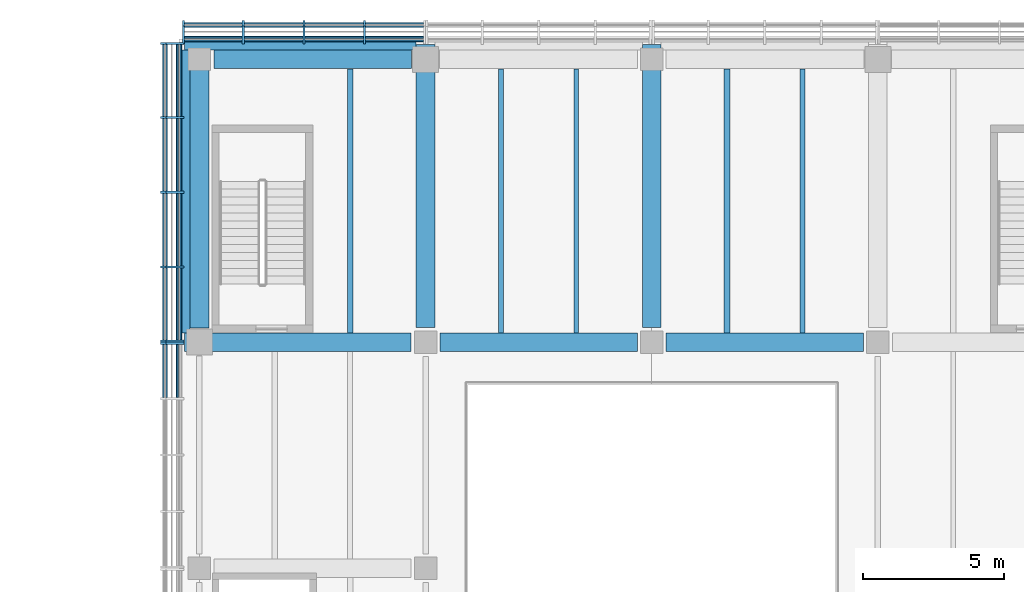
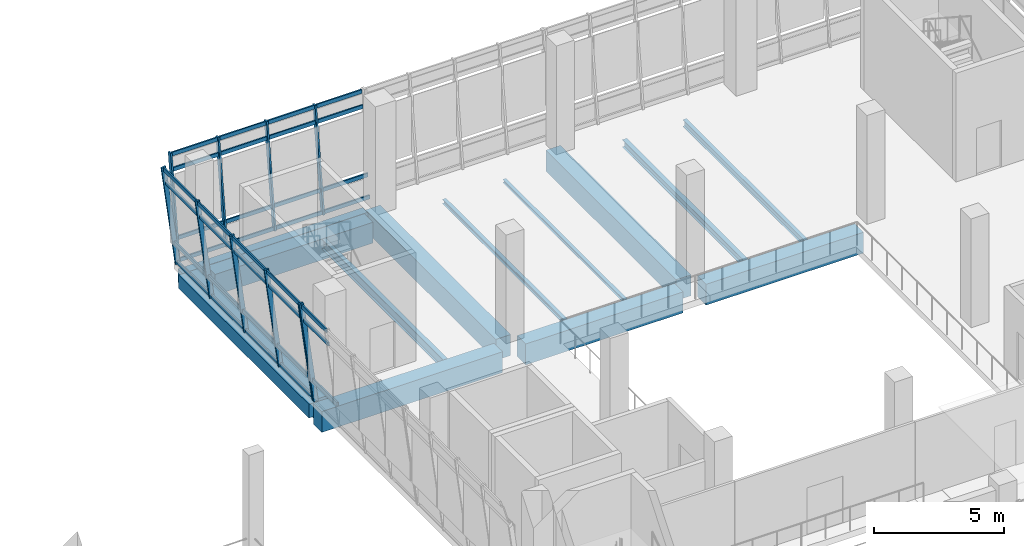
# One storey, part 17 of 61: 45 members, 14 beams, 3 elements without a shape of their own.
"""IFC4 building model written with IfcOpenShell, lengths in metres."""

from ifc_helpers import new_model, si_unit, direction, frame, origin, origin_2d, place, context, subcontext, project, spatial, rectangle, i_section, extrude, material, material_profile, profile_set, type_object, element, aggregate, save


model = new_model("IFC4")

# Units and contexts
model_context = context("Model", 3, precision=1e-05, world=origin(), true_north=direction((0.0, 1.0)))
body_context = subcontext(model_context, "Body", "Model", "MODEL_VIEW")
ifc_project = project(units=[si_unit("LENGTHUNIT", "METRE"), si_unit("AREAUNIT", "SQUARE_METRE"), si_unit("VOLUMEUNIT", "CUBIC_METRE"), si_unit("PLANEANGLEUNIT", "RADIAN"), si_unit("MASSUNIT", "GRAM", prefix="KILO")], contexts=[model_context])

# Site, building, storey
site_placement = place(None, origin())
site = spatial("IfcSite", under=ifc_project, at=site_placement, CompositionType="ELEMENT")
building_placement = place(site_placement, origin())
building = spatial("IfcBuilding", under=site, at=building_placement, Name="Pecanmere Concourse Central Library", CompositionType="ELEMENT")
storey_placement = place(building_placement, frame((0.0, 0.0, 5.39990234375)))
storey = spatial("IfcBuildingStorey", under=building, at=storey_placement, Name="L02", CompositionType="ELEMENT", Elevation=5.39990234375)

# Curtain wall, members
ifc_material_1 = material(Name="Anodized bronze aluminium alloy 6063-T6", Category="aluminium")
curtain_wall_type = type_object("IfcCurtainWallType", Name="CW_LEAN_BANDED", PredefinedType="USERDEFINED", material=ifc_material_1)
curtain_wall_1_placement = place(storey_placement, origin())
curtain_wall_1 = element("IfcCurtainWall", 1, at=curtain_wall_1_placement, inside=storey, type_object=curtain_wall_type, Name="Unitised Curtain Wall CW-01 L02-011", ObjectType="UNITISED CURTAIN WALL", PredefinedType="USERDEFINED")
ifc_material_2 = material(Name="Anodized bronze aluminium alloy 6063-T6", Category="aluminium")
ifc_material_profile_1 = material_profile(ifc_material_2, rectangle(XDim=0.074951171875, YDim=0.199951171875, at=origin_2d()), Name="AL 75x200")
ifc_profile_set_1 = profile_set([ifc_material_profile_1], Name="Anodized bronze aluminium alloy 6063-T6")
member_type_1 = type_object("IfcMemberType", Name="CWM_200x75", PredefinedType="MULLION", material=ifc_profile_set_1)
member_1_placement = place(storey_placement, frame((77.84619140625, 124.640380859375, 0.0), z_axis=(0.0, 0.132283601957, 0.991211909055), x_axis=(-1.0, 0.0, 0.0)))
member_1 = element("IfcMember", 2, at=member_1_placement, type_object=member_type_1, Name="CW-01 Mullion 2", PredefinedType="MULLION", context=body_context, shape_type="SweptSolid", body=[
    extrude(rectangle(XDim=0.074951171875, YDim=0.199951171875, at=origin_2d()), origin(), (0.0, 0.0, 1.0), 4.80224609375),
])
member_2_placement = place(storey_placement, frame((75.697265625, 124.640380859375, 0.0), z_axis=(0.0, 0.132283601957, 0.991211909055), x_axis=(-1.0, 0.0, 0.0)))
member_2 = element("IfcMember", 3, at=member_2_placement, type_object=member_type_1, Name="CW-01 Mullion 3", PredefinedType="MULLION", context=body_context, shape_type="SweptSolid", body=[
    extrude(rectangle(XDim=0.074951171875, YDim=0.199951171875, at=origin_2d()), origin(), (0.0, 0.0, 1.0), 4.80224609375),
])
member_3_placement = place(storey_placement, frame((73.54833984375, 124.640380859375, 0.0), z_axis=(0.0, 0.132283601957, 0.991211909055), x_axis=(-1.0, 0.0, 0.0)))
member_3 = element("IfcMember", 4, at=member_3_placement, type_object=member_type_1, Name="CW-01 Mullion 4", PredefinedType="MULLION", context=body_context, shape_type="SweptSolid", body=[
    extrude(rectangle(XDim=0.074951171875, YDim=0.199951171875, at=origin_2d()), origin(), (0.0, 0.0, 1.0), 4.80224609375),
])
member_4_placement = place(storey_placement, frame((71.43701171875, 124.640380859375, 0.0), z_axis=(0.0, 0.132283601957, 0.991211909055), x_axis=(-1.0, 0.0, 0.0)))
member_4 = element("IfcMember", 5, at=member_4_placement, type_object=member_type_1, Name="CW-01 Mullion 5", PredefinedType="MULLION", context=body_context, shape_type="SweptSolid", body=[
    extrude(rectangle(XDim=0.074951171875, YDim=0.199951171875, at=origin_2d()), origin(), (0.0, 0.0, 1.0), 4.80224609375),
])

curtain_wall_2_placement = place(storey_placement, origin())
curtain_wall_2 = element("IfcCurtainWall", 6, at=curtain_wall_2_placement, inside=storey, type_object=curtain_wall_type, Name="Unitised Curtain Wall CW-01 L02-019", ObjectType="UNITISED CURTAIN WALL", PredefinedType="USERDEFINED")
member_5_placement = place(storey_placement, frame((71.359619140625, 124.56298828125, 0.0), z_axis=(-0.132283601957, 0.0, 0.991211909055), x_axis=(0.0, -1.0, 0.0)))
member_5 = element("IfcMember", 7, at=member_5_placement, type_object=member_type_1, Name="CW-01 Mullion 1", PredefinedType="MULLION", context=body_context, shape_type="SweptSolid", body=[
    extrude(rectangle(XDim=0.074951171875, YDim=0.199951171875, at=origin_2d()), origin(), (0.0, 0.0, 1.0), 4.80224609375),
])
member_6_placement = place(storey_placement, frame((71.359619140625, 121.95166015625, 0.0), z_axis=(-0.132283601957, 0.0, 0.991211909055), x_axis=(0.0, -1.0, 0.0)))
member_6 = element("IfcMember", 8, at=member_6_placement, type_object=member_type_1, Name="CW-01 Mullion 2", PredefinedType="MULLION", context=body_context, shape_type="SweptSolid", body=[
    extrude(rectangle(XDim=0.074951171875, YDim=0.199951171875, at=origin_2d()), origin(), (0.0, 0.0, 1.0), 4.80224609375),
])
member_7_placement = place(storey_placement, frame((71.359619140625, 119.302734375, 0.0), z_axis=(-0.132283601957, 0.0, 0.991211909055), x_axis=(0.0, -1.0, 0.0)))
member_7 = element("IfcMember", 9, at=member_7_placement, type_object=member_type_1, Name="CW-01 Mullion 3", PredefinedType="MULLION", context=body_context, shape_type="SweptSolid", body=[
    extrude(rectangle(XDim=0.074951171875, YDim=0.199951171875, at=origin_2d()), origin(), (0.0, 0.0, 1.0), 4.80224609375),
])
member_8_placement = place(storey_placement, frame((71.359619140625, 116.65380859375, 0.0), z_axis=(-0.132283601957, 0.0, 0.991211909055), x_axis=(0.0, -1.0, 0.0)))
member_8 = element("IfcMember", 10, at=member_8_placement, type_object=member_type_1, Name="CW-01 Mullion 4", PredefinedType="MULLION", context=body_context, shape_type="SweptSolid", body=[
    extrude(rectangle(XDim=0.074951171875, YDim=0.199951171875, at=origin_2d()), origin(), (0.0, 0.0, 1.0), 4.80224609375),
])
member_9_placement = place(storey_placement, frame((71.359619140625, 114.04248046875, 0.0), z_axis=(-0.132283601957, 0.0, 0.991211909055), x_axis=(0.0, -1.0, 0.0)))
member_9 = element("IfcMember", 11, at=member_9_placement, type_object=member_type_1, Name="CW-01 Mullion 5", PredefinedType="MULLION", context=body_context, shape_type="SweptSolid", body=[
    extrude(rectangle(XDim=0.074951171875, YDim=0.199951171875, at=origin_2d()), origin(), (0.0, 0.0, 1.0), 4.80224609375),
])

# Curtain wall, member
curtain_wall_3_placement = place(storey_placement, origin())
curtain_wall_3 = element("IfcCurtainWall", 12, at=curtain_wall_3_placement, inside=storey, type_object=curtain_wall_type, Name="Unitised Curtain Wall CW-01 L02-020", ObjectType="UNITISED CURTAIN WALL", PredefinedType="USERDEFINED")
member_10_placement = place(storey_placement, frame((71.359619140625, 113.95751953125, 0.0), z_axis=(-0.132283601957, 0.0, 0.991211909055), x_axis=(0.0, -1.0, 0.0)))
member_10 = element("IfcMember", 13, at=member_10_placement, type_object=member_type_1, Name="CW-01 Mullion 1", PredefinedType="MULLION", context=body_context, shape_type="SweptSolid", body=[
    extrude(rectangle(XDim=0.074951171875, YDim=0.199951171875, at=origin_2d()), origin(), (0.0, 0.0, 1.0), 4.80224609375),
])

# Member
ifc_material_3 = material(Name="Anodized bronze aluminium alloy 6063-T6", Category="aluminium")
ifc_material_profile_2 = material_profile(ifc_material_3, rectangle(XDim=0.06494140625, YDim=0.179931640625, at=origin_2d()), Name="AL 65x180")
ifc_profile_set_2 = profile_set([ifc_material_profile_2], Name="Anodized bronze aluminium alloy 6063-T6")
member_type_2 = type_object("IfcMemberType", Name="CWT_180x65", PredefinedType="USERDEFINED", material=ifc_profile_set_2)
member_11_placement = place(storey_placement, frame((79.919921875, 124.652587890625, 0.090087890625), z_axis=(-1.0, 0.0, 0.0), x_axis=(0.0, -1.0, 0.0)))
member_11 = element("IfcMember", 14, at=member_11_placement, type_object=member_type_2, Name="CW-01 Transom 1.1", ObjectType="TRANSOM", PredefinedType="USERDEFINED", context=body_context, shape_type="SweptSolid", body=[
    extrude(rectangle(XDim=0.06494140625, YDim=0.179931640625, at=origin_2d()), origin(), (0.0, 0.0, 1.0), 2.036376953125),
])

member_12_placement = place(storey_placement, frame((79.919921875, 124.780517578125, 1.050048828125), z_axis=(-1.0, 0.0, 0.0), x_axis=(0.0, -1.0, 0.0)))
member_12 = element("IfcMember", 15, at=member_12_placement, type_object=member_type_2, Name="CW-01 Transom 1.2", ObjectType="TRANSOM", PredefinedType="USERDEFINED", context=body_context, shape_type="SweptSolid", body=[
    extrude(rectangle(XDim=0.06494140625, YDim=0.179931640625, at=origin_2d()), origin(), (0.0, 0.0, 1.0), 2.036376953125),
])

member_13_placement = place(storey_placement, frame((79.919921875, 125.175537109375, 4.010009765625), z_axis=(-1.0, 0.0, 0.0), x_axis=(0.0, -1.0, 0.0)))
member_13 = element("IfcMember", 16, at=member_13_placement, type_object=member_type_2, Name="CW-01 Transom 1.3", ObjectType="TRANSOM", PredefinedType="USERDEFINED", context=body_context, shape_type="SweptSolid", body=[
    extrude(rectangle(XDim=0.06494140625, YDim=0.179931640625, at=origin_2d()), origin(), (0.0, 0.0, 1.0), 2.036376953125),
])

member_14_placement = place(storey_placement, frame((79.919921875, 125.263671875, 4.670166015625), z_axis=(-1.0, 0.0, 0.0), x_axis=(0.0, -1.0, 0.0)))
member_14 = element("IfcMember", 17, at=member_14_placement, type_object=member_type_2, Name="CW-01 Transom 1.4", ObjectType="TRANSOM", PredefinedType="USERDEFINED", context=body_context, shape_type="SweptSolid", body=[
    extrude(rectangle(XDim=0.06494140625, YDim=0.179931640625, at=origin_2d()), origin(), (0.0, 0.0, 1.0), 2.036376953125),
])

member_15_placement = place(storey_placement, frame((77.80859375, 124.652587890625, 0.090087890625), z_axis=(-1.0, 0.0, 0.0), x_axis=(0.0, -1.0, 0.0)))
member_15 = element("IfcMember", 18, at=member_15_placement, type_object=member_type_2, Name="CW-01 Transom 2.1", ObjectType="TRANSOM", PredefinedType="USERDEFINED", context=body_context, shape_type="SweptSolid", body=[
    extrude(rectangle(XDim=0.06494140625, YDim=0.179931640625, at=origin_2d()), origin(), (0.0, 0.0, 1.0), 2.07373046875),
])

member_16_placement = place(storey_placement, frame((77.80859375, 124.780517578125, 1.050048828125), z_axis=(-1.0, 0.0, 0.0), x_axis=(0.0, -1.0, 0.0)))
member_16 = element("IfcMember", 19, at=member_16_placement, type_object=member_type_2, Name="CW-01 Transom 2.2", ObjectType="TRANSOM", PredefinedType="USERDEFINED", context=body_context, shape_type="SweptSolid", body=[
    extrude(rectangle(XDim=0.06494140625, YDim=0.179931640625, at=origin_2d()), origin(), (0.0, 0.0, 1.0), 2.07373046875),
])

member_17_placement = place(storey_placement, frame((77.80859375, 125.175537109375, 4.010009765625), z_axis=(-1.0, 0.0, 0.0), x_axis=(0.0, -1.0, 0.0)))
member_17 = element("IfcMember", 20, at=member_17_placement, type_object=member_type_2, Name="CW-01 Transom 2.3", ObjectType="TRANSOM", PredefinedType="USERDEFINED", context=body_context, shape_type="SweptSolid", body=[
    extrude(rectangle(XDim=0.06494140625, YDim=0.179931640625, at=origin_2d()), origin(), (0.0, 0.0, 1.0), 2.07373046875),
])

member_18_placement = place(storey_placement, frame((77.80859375, 125.263671875, 4.670166015625), z_axis=(-1.0, 0.0, 0.0), x_axis=(0.0, -1.0, 0.0)))
member_18 = element("IfcMember", 21, at=member_18_placement, type_object=member_type_2, Name="CW-01 Transom 2.4", ObjectType="TRANSOM", PredefinedType="USERDEFINED", context=body_context, shape_type="SweptSolid", body=[
    extrude(rectangle(XDim=0.06494140625, YDim=0.179931640625, at=origin_2d()), origin(), (0.0, 0.0, 1.0), 2.07373046875),
])

member_19_placement = place(storey_placement, frame((75.65966796875, 124.652587890625, 0.090087890625), z_axis=(-1.0, 0.0, 0.0), x_axis=(0.0, -1.0, 0.0)))
member_19 = element("IfcMember", 22, at=member_19_placement, type_object=member_type_2, Name="CW-01 Transom 3.1", ObjectType="TRANSOM", PredefinedType="USERDEFINED", context=body_context, shape_type="SweptSolid", body=[
    extrude(rectangle(XDim=0.06494140625, YDim=0.179931640625, at=origin_2d()), origin(), (0.0, 0.0, 1.0), 2.07373046875),
])

member_20_placement = place(storey_placement, frame((75.65966796875, 124.780517578125, 1.050048828125), z_axis=(-1.0, 0.0, 0.0), x_axis=(0.0, -1.0, 0.0)))
member_20 = element("IfcMember", 23, at=member_20_placement, type_object=member_type_2, Name="CW-01 Transom 3.2", ObjectType="TRANSOM", PredefinedType="USERDEFINED", context=body_context, shape_type="SweptSolid", body=[
    extrude(rectangle(XDim=0.06494140625, YDim=0.179931640625, at=origin_2d()), origin(), (0.0, 0.0, 1.0), 2.07373046875),
])

member_21_placement = place(storey_placement, frame((75.65966796875, 125.175537109375, 4.010009765625), z_axis=(-1.0, 0.0, 0.0), x_axis=(0.0, -1.0, 0.0)))
member_21 = element("IfcMember", 24, at=member_21_placement, type_object=member_type_2, Name="CW-01 Transom 3.3", ObjectType="TRANSOM", PredefinedType="USERDEFINED", context=body_context, shape_type="SweptSolid", body=[
    extrude(rectangle(XDim=0.06494140625, YDim=0.179931640625, at=origin_2d()), origin(), (0.0, 0.0, 1.0), 2.07373046875),
])

member_22_placement = place(storey_placement, frame((75.65966796875, 125.263671875, 4.670166015625), z_axis=(-1.0, 0.0, 0.0), x_axis=(0.0, -1.0, 0.0)))
member_22 = element("IfcMember", 25, at=member_22_placement, type_object=member_type_2, Name="CW-01 Transom 3.4", ObjectType="TRANSOM", PredefinedType="USERDEFINED", context=body_context, shape_type="SweptSolid", body=[
    extrude(rectangle(XDim=0.06494140625, YDim=0.179931640625, at=origin_2d()), origin(), (0.0, 0.0, 1.0), 2.07373046875),
])

member_23_placement = place(storey_placement, frame((73.510986328125, 124.652587890625, 0.090087890625), z_axis=(-1.0, 0.0, 0.0), x_axis=(0.0, -1.0, 0.0)))
member_23 = element("IfcMember", 26, at=member_23_placement, type_object=member_type_2, Name="CW-01 Transom 4.1", ObjectType="TRANSOM", PredefinedType="USERDEFINED", context=body_context, shape_type="SweptSolid", body=[
    extrude(rectangle(XDim=0.06494140625, YDim=0.179931640625, at=origin_2d()), origin(), (0.0, 0.0, 1.0), 2.036376953125),
])

member_24_placement = place(storey_placement, frame((73.510986328125, 124.780517578125, 1.050048828125), z_axis=(-1.0, 0.0, 0.0), x_axis=(0.0, -1.0, 0.0)))
member_24 = element("IfcMember", 27, at=member_24_placement, type_object=member_type_2, Name="CW-01 Transom 4.2", ObjectType="TRANSOM", PredefinedType="USERDEFINED", context=body_context, shape_type="SweptSolid", body=[
    extrude(rectangle(XDim=0.06494140625, YDim=0.179931640625, at=origin_2d()), origin(), (0.0, 0.0, 1.0), 2.036376953125),
])

member_25_placement = place(storey_placement, frame((73.510986328125, 125.175537109375, 4.010009765625), z_axis=(-1.0, 0.0, 0.0), x_axis=(0.0, -1.0, 0.0)))
member_25 = element("IfcMember", 28, at=member_25_placement, type_object=member_type_2, Name="CW-01 Transom 4.3", ObjectType="TRANSOM", PredefinedType="USERDEFINED", context=body_context, shape_type="SweptSolid", body=[
    extrude(rectangle(XDim=0.06494140625, YDim=0.179931640625, at=origin_2d()), origin(), (0.0, 0.0, 1.0), 2.036376953125),
])

member_26_placement = place(storey_placement, frame((73.510986328125, 125.263671875, 4.670166015625), z_axis=(-1.0, 0.0, 0.0), x_axis=(0.0, -1.0, 0.0)))
member_26 = element("IfcMember", 29, at=member_26_placement, type_object=member_type_2, Name="CW-01 Transom 4.4", ObjectType="TRANSOM", PredefinedType="USERDEFINED", context=body_context, shape_type="SweptSolid", body=[
    extrude(rectangle(XDim=0.06494140625, YDim=0.179931640625, at=origin_2d()), origin(), (0.0, 0.0, 1.0), 2.036376953125),
])

aggregate(curtain_wall_1, [member_1, member_2, member_3, member_4, member_11, member_12, member_13, member_14, member_15, member_16, member_17, member_18, member_19, member_20, member_21, member_22, member_23, member_24, member_25, member_26])

member_27_placement = place(storey_placement, frame((71.347412109375, 124.525390625, 0.090087890625), z_axis=(0.0, -1.0, 0.0), x_axis=(1.0, 0.0, 0.0)))
member_27 = element("IfcMember", 30, at=member_27_placement, type_object=member_type_2, Name="CW-01 Transom 1.1", ObjectType="TRANSOM", PredefinedType="USERDEFINED", context=body_context, shape_type="SweptSolid", body=[
    extrude(rectangle(XDim=0.06494140625, YDim=0.179931640625, at=origin_2d()), origin(), (0.0, 0.0, 1.0), 2.536376953125),
])

member_28_placement = place(storey_placement, frame((71.219482421875, 124.525390625, 1.050048828125), z_axis=(0.0, -1.0, 0.0), x_axis=(1.0, 0.0, 0.0)))
member_28 = element("IfcMember", 31, at=member_28_placement, type_object=member_type_2, Name="CW-01 Transom 1.2", ObjectType="TRANSOM", PredefinedType="USERDEFINED", context=body_context, shape_type="SweptSolid", body=[
    extrude(rectangle(XDim=0.06494140625, YDim=0.179931640625, at=origin_2d()), origin(), (0.0, 0.0, 1.0), 2.536376953125),
])

member_29_placement = place(storey_placement, frame((70.824462890625, 124.525390625, 4.010009765625), z_axis=(0.0, -1.0, 0.0), x_axis=(1.0, 0.0, 0.0)))
member_29 = element("IfcMember", 32, at=member_29_placement, type_object=member_type_2, Name="CW-01 Transom 1.3", ObjectType="TRANSOM", PredefinedType="USERDEFINED", context=body_context, shape_type="SweptSolid", body=[
    extrude(rectangle(XDim=0.06494140625, YDim=0.179931640625, at=origin_2d()), origin(), (0.0, 0.0, 1.0), 2.536376953125),
])

member_30_placement = place(storey_placement, frame((70.736328125, 124.525390625, 4.670166015625), z_axis=(0.0, -1.0, 0.0), x_axis=(1.0, 0.0, 0.0)))
member_30 = element("IfcMember", 33, at=member_30_placement, type_object=member_type_2, Name="CW-01 Transom 1.4", ObjectType="TRANSOM", PredefinedType="USERDEFINED", context=body_context, shape_type="SweptSolid", body=[
    extrude(rectangle(XDim=0.06494140625, YDim=0.179931640625, at=origin_2d()), origin(), (0.0, 0.0, 1.0), 2.536376953125),
])

member_31_placement = place(storey_placement, frame((71.347412109375, 121.9140625, 0.090087890625), z_axis=(0.0, -1.0, 0.0), x_axis=(1.0, 0.0, 0.0)))
member_31 = element("IfcMember", 34, at=member_31_placement, type_object=member_type_2, Name="CW-01 Transom 2.1", ObjectType="TRANSOM", PredefinedType="USERDEFINED", context=body_context, shape_type="SweptSolid", body=[
    extrude(rectangle(XDim=0.06494140625, YDim=0.179931640625, at=origin_2d()), origin(), (0.0, 0.0, 1.0), 2.57373046875),
])

member_32_placement = place(storey_placement, frame((71.219482421875, 121.9140625, 1.050048828125), z_axis=(0.0, -1.0, 0.0), x_axis=(1.0, 0.0, 0.0)))
member_32 = element("IfcMember", 35, at=member_32_placement, type_object=member_type_2, Name="CW-01 Transom 2.2", ObjectType="TRANSOM", PredefinedType="USERDEFINED", context=body_context, shape_type="SweptSolid", body=[
    extrude(rectangle(XDim=0.06494140625, YDim=0.179931640625, at=origin_2d()), origin(), (0.0, 0.0, 1.0), 2.57373046875),
])

member_33_placement = place(storey_placement, frame((70.824462890625, 121.9140625, 4.010009765625), z_axis=(0.0, -1.0, 0.0), x_axis=(1.0, 0.0, 0.0)))
member_33 = element("IfcMember", 36, at=member_33_placement, type_object=member_type_2, Name="CW-01 Transom 2.3", ObjectType="TRANSOM", PredefinedType="USERDEFINED", context=body_context, shape_type="SweptSolid", body=[
    extrude(rectangle(XDim=0.06494140625, YDim=0.179931640625, at=origin_2d()), origin(), (0.0, 0.0, 1.0), 2.57373046875),
])

member_34_placement = place(storey_placement, frame((70.736328125, 121.9140625, 4.670166015625), z_axis=(0.0, -1.0, 0.0), x_axis=(1.0, 0.0, 0.0)))
member_34 = element("IfcMember", 37, at=member_34_placement, type_object=member_type_2, Name="CW-01 Transom 2.4", ObjectType="TRANSOM", PredefinedType="USERDEFINED", context=body_context, shape_type="SweptSolid", body=[
    extrude(rectangle(XDim=0.06494140625, YDim=0.179931640625, at=origin_2d()), origin(), (0.0, 0.0, 1.0), 2.57373046875),
])

member_35_placement = place(storey_placement, frame((71.347412109375, 119.26513671875, 0.090087890625), z_axis=(0.0, -1.0, 0.0), x_axis=(1.0, 0.0, 0.0)))
member_35 = element("IfcMember", 38, at=member_35_placement, type_object=member_type_2, Name="CW-01 Transom 3.1", ObjectType="TRANSOM", PredefinedType="USERDEFINED", context=body_context, shape_type="SweptSolid", body=[
    extrude(rectangle(XDim=0.06494140625, YDim=0.179931640625, at=origin_2d()), origin(), (0.0, 0.0, 1.0), 2.57373046875),
])

member_36_placement = place(storey_placement, frame((71.219482421875, 119.26513671875, 1.050048828125), z_axis=(0.0, -1.0, 0.0), x_axis=(1.0, 0.0, 0.0)))
member_36 = element("IfcMember", 39, at=member_36_placement, type_object=member_type_2, Name="CW-01 Transom 3.2", ObjectType="TRANSOM", PredefinedType="USERDEFINED", context=body_context, shape_type="SweptSolid", body=[
    extrude(rectangle(XDim=0.06494140625, YDim=0.179931640625, at=origin_2d()), origin(), (0.0, 0.0, 1.0), 2.57373046875),
])

member_37_placement = place(storey_placement, frame((70.824462890625, 119.26513671875, 4.010009765625), z_axis=(0.0, -1.0, 0.0), x_axis=(1.0, 0.0, 0.0)))
member_37 = element("IfcMember", 40, at=member_37_placement, type_object=member_type_2, Name="CW-01 Transom 3.3", ObjectType="TRANSOM", PredefinedType="USERDEFINED", context=body_context, shape_type="SweptSolid", body=[
    extrude(rectangle(XDim=0.06494140625, YDim=0.179931640625, at=origin_2d()), origin(), (0.0, 0.0, 1.0), 2.57373046875),
])

member_38_placement = place(storey_placement, frame((70.736328125, 119.26513671875, 4.670166015625), z_axis=(0.0, -1.0, 0.0), x_axis=(1.0, 0.0, 0.0)))
member_38 = element("IfcMember", 41, at=member_38_placement, type_object=member_type_2, Name="CW-01 Transom 3.4", ObjectType="TRANSOM", PredefinedType="USERDEFINED", context=body_context, shape_type="SweptSolid", body=[
    extrude(rectangle(XDim=0.06494140625, YDim=0.179931640625, at=origin_2d()), origin(), (0.0, 0.0, 1.0), 2.57373046875),
])

member_39_placement = place(storey_placement, frame((71.347412109375, 116.616455078125, 0.090087890625), z_axis=(0.0, -1.0, 0.0), x_axis=(1.0, 0.0, 0.0)))
member_39 = element("IfcMember", 42, at=member_39_placement, type_object=member_type_2, Name="CW-01 Transom 4.1", ObjectType="TRANSOM", PredefinedType="USERDEFINED", context=body_context, shape_type="SweptSolid", body=[
    extrude(rectangle(XDim=0.06494140625, YDim=0.179931640625, at=origin_2d()), origin(), (0.0, 0.0, 1.0), 2.536376953125),
])

member_40_placement = place(storey_placement, frame((71.219482421875, 116.616455078125, 1.050048828125), z_axis=(0.0, -1.0, 0.0), x_axis=(1.0, 0.0, 0.0)))
member_40 = element("IfcMember", 43, at=member_40_placement, type_object=member_type_2, Name="CW-01 Transom 4.2", ObjectType="TRANSOM", PredefinedType="USERDEFINED", context=body_context, shape_type="SweptSolid", body=[
    extrude(rectangle(XDim=0.06494140625, YDim=0.179931640625, at=origin_2d()), origin(), (0.0, 0.0, 1.0), 2.536376953125),
])

member_41_placement = place(storey_placement, frame((70.824462890625, 116.616455078125, 4.010009765625), z_axis=(0.0, -1.0, 0.0), x_axis=(1.0, 0.0, 0.0)))
member_41 = element("IfcMember", 44, at=member_41_placement, type_object=member_type_2, Name="CW-01 Transom 4.3", ObjectType="TRANSOM", PredefinedType="USERDEFINED", context=body_context, shape_type="SweptSolid", body=[
    extrude(rectangle(XDim=0.06494140625, YDim=0.179931640625, at=origin_2d()), origin(), (0.0, 0.0, 1.0), 2.536376953125),
])

member_42_placement = place(storey_placement, frame((70.736328125, 116.616455078125, 4.670166015625), z_axis=(0.0, -1.0, 0.0), x_axis=(1.0, 0.0, 0.0)))
member_42 = element("IfcMember", 45, at=member_42_placement, type_object=member_type_2, Name="CW-01 Transom 4.4", ObjectType="TRANSOM", PredefinedType="USERDEFINED", context=body_context, shape_type="SweptSolid", body=[
    extrude(rectangle(XDim=0.06494140625, YDim=0.179931640625, at=origin_2d()), origin(), (0.0, 0.0, 1.0), 2.536376953125),
])

aggregate(curtain_wall_2, [member_5, member_6, member_7, member_8, member_9, member_27, member_28, member_29, member_30, member_31, member_32, member_33, member_34, member_35, member_36, member_37, member_38, member_39, member_40, member_41, member_42])

member_43_placement = place(storey_placement, frame((71.219482421875, 113.919921875, 1.050048828125), z_axis=(0.0, -1.0, 0.0), x_axis=(1.0, 0.0, 0.0)))
member_43 = element("IfcMember", 46, at=member_43_placement, type_object=member_type_2, Name="CW-01 Transom 1.2", ObjectType="TRANSOM", PredefinedType="USERDEFINED", context=body_context, shape_type="SweptSolid", body=[
    extrude(rectangle(XDim=0.06494140625, YDim=0.179931640625, at=origin_2d()), origin(), (0.0, 0.0, 1.0), 1.885009765625),
])

member_44_placement = place(storey_placement, frame((70.824462890625, 113.919921875, 4.010009765625), z_axis=(0.0, -1.0, 0.0), x_axis=(1.0, 0.0, 0.0)))
member_44 = element("IfcMember", 47, at=member_44_placement, type_object=member_type_2, Name="CW-01 Transom 1.3", ObjectType="TRANSOM", PredefinedType="USERDEFINED", context=body_context, shape_type="SweptSolid", body=[
    extrude(rectangle(XDim=0.06494140625, YDim=0.179931640625, at=origin_2d()), origin(), (0.0, 0.0, 1.0), 1.885009765625),
])

member_45_placement = place(storey_placement, frame((70.736328125, 113.919921875, 4.670166015625), z_axis=(0.0, -1.0, 0.0), x_axis=(1.0, 0.0, 0.0)))
member_45 = element("IfcMember", 48, at=member_45_placement, type_object=member_type_2, Name="CW-01 Transom 1.4", ObjectType="TRANSOM", PredefinedType="USERDEFINED", context=body_context, shape_type="SweptSolid", body=[
    extrude(rectangle(XDim=0.06494140625, YDim=0.179931640625, at=origin_2d()), origin(), (0.0, 0.0, 1.0), 1.885009765625),
])

aggregate(curtain_wall_3, [member_10, member_43, member_44, member_45])

# Beams
ifc_material_4 = material(Name="Concrete C40/50", Category="concrete")
ifc_material_profile_3 = material_profile(ifc_material_4, rectangle(XDim=0.659912109375, YDim=0.97998046875, at=origin_2d()), Name="RC 660x980")
ifc_profile_set_3 = profile_set([ifc_material_profile_3], Name="Concrete C40/50")
beam_type_1 = type_object("IfcBeamType", Name="GRD_660x980", PredefinedType="USERDEFINED", material=ifc_profile_set_3)
beam_1_placement = place(storey_placement, frame((71.469482421875, 114.0, -0.85986328125), z_axis=(1.0, 0.0, 0.0), x_axis=(0.0, 1.0, 0.0)))
element("IfcBeam", 49, at=beam_1_placement, inside=storey, type_object=beam_type_1, Name="Primary Girder X L02-0953", ObjectType="GIRDER", PredefinedType="USERDEFINED", context=body_context, shape_type="SweptSolid", body=[
    extrude(rectangle(XDim=0.659912109375, YDim=0.97998046875, at=origin_2d()), origin(), (0.0, 0.0, 1.0), 8.0205078125),
])
for number, where, z_axis, x_axis, name in (
    (50, (80.510009765625, 114.0, -0.85986328125), (1.0, 0.0, 0.0), (0.0, 1.0, 0.0), "Primary Girder X L02-0954"),
    (51, (88.510009765625, 114.0, -0.85986328125), (1.0, 0.0, 0.0), (0.0, 1.0, 0.0), "Primary Girder X L02-0955"),
):
    element("IfcBeam", number, at=place(storey_placement, frame(where, z_axis=z_axis, x_axis=x_axis)), inside=storey, type_object=beam_type_1, Name=name, ObjectType="GIRDER", PredefinedType="USERDEFINED", context=body_context, shape_type="SweptSolid", body=[
        extrude(rectangle(XDim=0.659912109375, YDim=0.97998046875, at=origin_2d()), origin(), (0.0, 0.0, 1.0), 6.97998046875),
    ])
beam_2_placement = place(storey_placement, frame((72.510009765625, 124.0, -0.85986328125), z_axis=(1.0, 0.0, 0.0), x_axis=(0.0, 1.0, 0.0)))
element("IfcBeam", 52, at=beam_2_placement, inside=storey, type_object=beam_type_1, Name="Primary Girder X L02-0957", ObjectType="GIRDER", PredefinedType="USERDEFINED", context=body_context, shape_type="SweptSolid", body=[
    extrude(rectangle(XDim=0.659912109375, YDim=0.97998046875, at=origin_2d()), origin(), (0.0, 0.0, 1.0), 7.0),
])
beam_3_placement = place(storey_placement, frame((72.0, 114.489990234375, -0.85986328125), z_axis=(0.0, 1.0, 0.0), x_axis=(-1.0, 0.0, 0.0)))
element("IfcBeam", 53, at=beam_3_placement, inside=storey, type_object=beam_type_1, Name="Primary Girder Y L02-1041", ObjectType="GIRDER", PredefinedType="USERDEFINED", context=body_context, shape_type="SweptSolid", body=[
    extrude(rectangle(XDim=0.659912109375, YDim=0.97998046875, at=origin_2d()), origin(), (0.0, 0.0, 1.0), 9.8505859375),
])
for number, where, z_axis, x_axis, name in (
    (54, (80.0, 114.510009765625, -0.85986328125), (0.0, 1.0, 0.0), (-1.0, 0.0, 0.0), "Primary Girder Y L02-1052"),
    (55, (88.0, 114.510009765625, -0.85986328125), (0.0, 1.0, 0.0), (-1.0, 0.0, 0.0), "Primary Girder Y L02-1061"),
):
    element("IfcBeam", number, at=place(storey_placement, frame(where, z_axis=z_axis, x_axis=x_axis)), inside=storey, type_object=beam_type_1, Name=name, ObjectType="GIRDER", PredefinedType="USERDEFINED", context=body_context, shape_type="SweptSolid", body=[
        extrude(rectangle(XDim=0.659912109375, YDim=0.97998046875, at=origin_2d()), origin(), (0.0, 0.0, 1.0), 10.0205078125),
    ])
ifc_material_5 = material(Name="Structural steel ASTM A992 Grade 50", Category="steel")
ifc_material_profile_4 = material_profile(ifc_material_5, i_section(OverallWidth=0.152099609375, OverallDepth=0.152099609375, WebThickness=0.005859375, FlangeThickness=0.006591796875, at=origin_2d()), Name="W150x22.5")
ifc_profile_set_4 = profile_set([ifc_material_profile_4], Name="Structural steel ASTM A992 Grade 50")
beam_type_2 = type_object("IfcBeamType", Name="SBM_W150x22", PredefinedType="LINTEL", material=ifc_profile_set_4)
beam_4_placement = place(storey_placement, frame((85.333251953125, 114.330078125, -0.44580078125), z_axis=(0.0, 1.0, 0.0), x_axis=(-1.0, 0.0, 0.0)))
element("IfcBeam", 56, at=beam_4_placement, inside=storey, type_object=beam_type_2, Name="Secondary Floor Joist L02-1306", PredefinedType="LINTEL", context=body_context, shape_type="SweptSolid", body=[
    extrude(i_section(OverallWidth=0.152099609375, OverallDepth=0.152099609375, WebThickness=0.005859375, FlangeThickness=0.006591796875, at=origin_2d()), origin(), (0.0, 0.0, 1.0), 9.33984375),
])
ifc_material_6 = material(Name="Structural steel ASTM A992 Grade 50", Category="steel")
ifc_material_profile_5 = material_profile(ifc_material_6, i_section(OverallWidth=0.1650390625, OverallDepth=0.200927734375, WebThickness=0.006103515625, FlangeThickness=0.01025390625, at=origin_2d()), Name="W200x35.9")
ifc_profile_set_5 = profile_set([ifc_material_profile_5], Name="Structural steel ASTM A992 Grade 50")
beam_type_3 = type_object("IfcBeamType", Name="SBM_W200x36", PredefinedType="LINTEL", material=ifc_profile_set_5)
beam_5_placement = place(storey_placement, frame((82.666748046875, 114.330078125, -0.470458984375), z_axis=(0.0, 1.0, 0.0), x_axis=(-1.0, 0.0, 0.0)))
element("IfcBeam", 57, at=beam_5_placement, inside=storey, type_object=beam_type_3, Name="Secondary Floor Joist L02-1305", PredefinedType="LINTEL", context=body_context, shape_type="SweptSolid", body=[
    extrude(i_section(OverallWidth=0.1650390625, OverallDepth=0.200927734375, WebThickness=0.006103515625, FlangeThickness=0.01025390625, at=origin_2d()), origin(), (0.0, 0.0, 1.0), 9.33984375),
])
ifc_material_7 = material(Name="Structural steel ASTM A992 Grade 50", Category="steel")
ifc_material_profile_6 = material_profile(ifc_material_7, i_section(OverallWidth=0.1669921875, OverallDepth=0.31689453125, WebThickness=0.007568359375, FlangeThickness=0.01318359375, at=origin_2d()), Name="W310x52")
ifc_profile_set_6 = profile_set([ifc_material_profile_6], Name="Structural steel ASTM A992 Grade 50")
beam_type_4 = type_object("IfcBeamType", Name="SBM_W310x52", PredefinedType="JOIST", material=ifc_profile_set_6)
beam_6_placement = place(storey_placement, frame((93.333251953125, 114.330078125, -0.5283203125), z_axis=(0.0, 1.0, 0.0), x_axis=(-1.0, 0.0, 0.0)))
element("IfcBeam", 58, at=beam_6_placement, inside=storey, type_object=beam_type_4, Name="Secondary Floor Joist L02-1324", PredefinedType="JOIST", context=body_context, shape_type="SweptSolid", body=[
    extrude(i_section(OverallWidth=0.1669921875, OverallDepth=0.31689453125, WebThickness=0.007568359375, FlangeThickness=0.01318359375, at=origin_2d()), origin(), (0.0, 0.0, 1.0), 9.33984375),
])
ifc_material_8 = material(Name="Structural steel ASTM A992 Grade 50", Category="steel")
ifc_material_profile_7 = material_profile(ifc_material_8, i_section(OverallWidth=0.202880859375, OverallDepth=0.346923828125, WebThickness=0.0078125, FlangeThickness=0.013427734375, at=origin_2d()), Name="W360x64")
ifc_profile_set_7 = profile_set([ifc_material_profile_7], Name="Structural steel ASTM A992 Grade 50")
beam_type_5 = type_object("IfcBeamType", Name="SBM_W360x64", PredefinedType="JOIST", material=ifc_profile_set_7)
beam_7_placement = place(storey_placement, frame((90.666748046875, 114.330078125, -0.54345703125), z_axis=(0.0, 1.0, 0.0), x_axis=(-1.0, 0.0, 0.0)))
element("IfcBeam", 59, at=beam_7_placement, inside=storey, type_object=beam_type_5, Name="Secondary Floor Joist L02-1323", PredefinedType="JOIST", context=body_context, shape_type="SweptSolid", body=[
    extrude(i_section(OverallWidth=0.202880859375, OverallDepth=0.346923828125, WebThickness=0.0078125, FlangeThickness=0.013427734375, at=origin_2d()), origin(), (0.0, 0.0, 1.0), 9.33984375),
])
ifc_material_9 = material(Name="Structural steel ASTM A992 Grade 50", Category="steel")
ifc_material_profile_8 = material_profile(ifc_material_9, i_section(OverallWidth=0.194091796875, OverallDepth=0.468994140625, WebThickness=0.0126953125, FlangeThickness=0.0205078125, at=origin_2d()), Name="W460x106")
ifc_profile_set_8 = profile_set([ifc_material_profile_8], Name="Structural steel ASTM A992 Grade 50")
beam_type_6 = type_object("IfcBeamType", Name="SBM_W460x106", PredefinedType="USERDEFINED", material=ifc_profile_set_8)
beam_8_placement = place(storey_placement, frame((77.333251953125, 114.330078125, -0.6044921875), z_axis=(0.0, 1.0, 0.0), x_axis=(-1.0, 0.0, 0.0)))
element("IfcBeam", 60, at=beam_8_placement, inside=storey, type_object=beam_type_6, Name="Secondary Floor Joist L02-1290", ObjectType="GIRDER", PredefinedType="USERDEFINED", context=body_context, shape_type="SweptSolid", body=[
    extrude(i_section(OverallWidth=0.194091796875, OverallDepth=0.468994140625, WebThickness=0.0126953125, FlangeThickness=0.0205078125, at=origin_2d()), origin(), (0.0, 0.0, 1.0), 9.33984375),
])
ifc_material_10 = material(Name="Concrete C40/50", Category="concrete")
ifc_material_profile_9 = material_profile(ifc_material_10, rectangle(XDim=0.3798828125, YDim=0.639892578125, at=origin_2d()), Name="RC 380x640")
ifc_profile_set_9 = profile_set([ifc_material_profile_9], Name="Concrete C40/50")
beam_type_7 = type_object("IfcBeamType", Name="SPB_380x640", PredefinedType="BEAM", material=ifc_profile_set_9)
beam_9_placement = place(storey_placement, frame((71.469482421875, 124.530517578125, -0.68994140625), z_axis=(1.0, 0.0, 0.0), x_axis=(0.0, 1.0, 0.0)))
element("IfcBeam", 61, at=beam_9_placement, inside=storey, type_object=beam_type_7, Name="Leaning Facade Edge Beam L02-1162", PredefinedType="BEAM", context=body_context, shape_type="SweptSolid", body=[
    extrude(rectangle(XDim=0.3798828125, YDim=0.639892578125, at=origin_2d()), origin(), (0.0, 0.0, 1.0), 8.200439453125),
])
beam_10_placement = place(storey_placement, frame((71.469482421875, 114.330078125, -0.68994140625), z_axis=(0.0, 1.0, 0.0), x_axis=(-1.0, 0.0, 0.0)))
element("IfcBeam", 62, at=beam_10_placement, inside=storey, type_object=beam_type_7, Name="Leaning Facade Edge Beam L02-1166", PredefinedType="BEAM", context=body_context, shape_type="SweptSolid", body=[
    extrude(rectangle(XDim=0.3798828125, YDim=0.639892578125, at=origin_2d()), origin(), (0.0, 0.0, 1.0), 10.010498046875),
])

save(model, "model.ifc")
